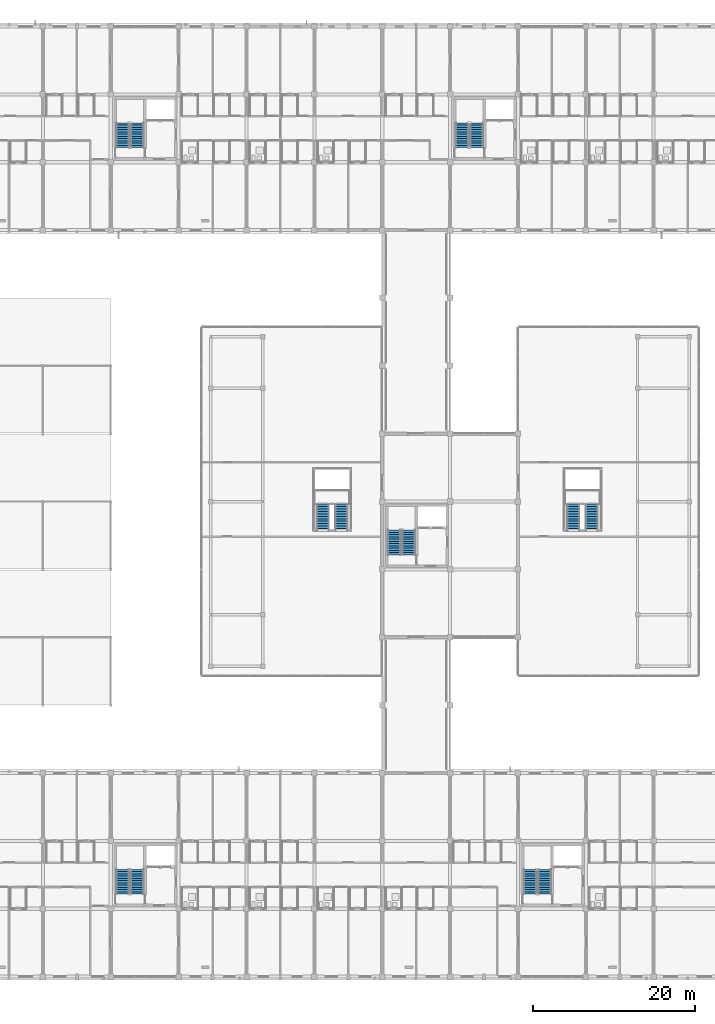
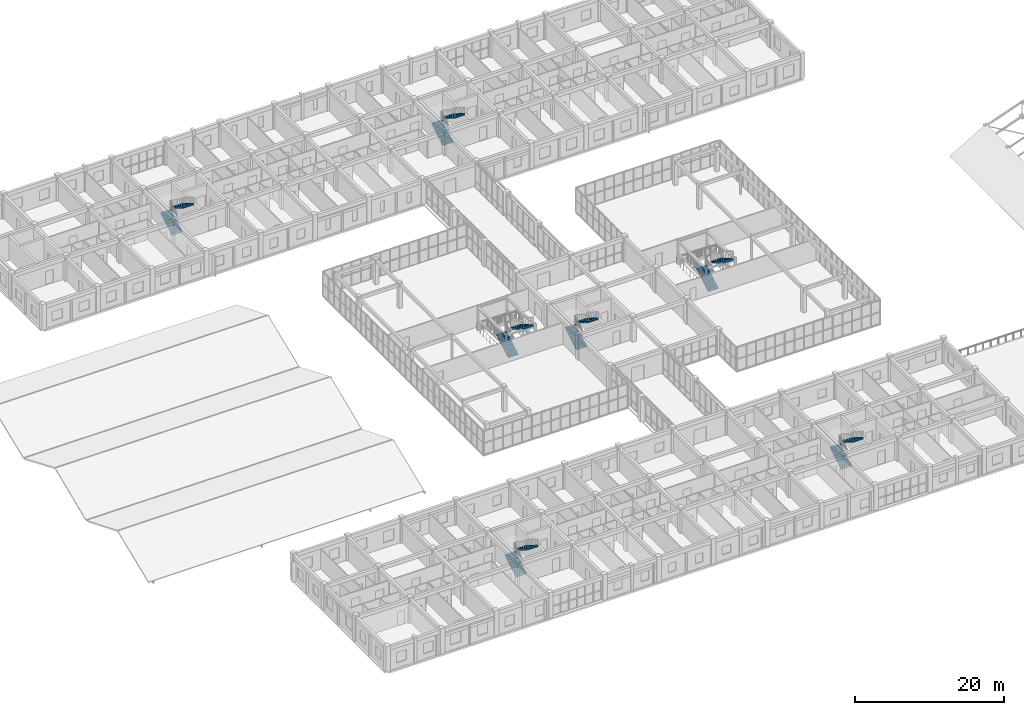
# One storey, part 126 of 140: 14 stair flights, 7 elements without a shape of their own.
"""IFC4 building model written with IfcOpenShell, lengths in metres."""

from ifc_helpers import new_model, si_unit, direction, frame, origin, place, context, subcontext, project, spatial, polyline, outline, extrude, material, type_object, element, aggregate, save


model = new_model("IFC4")

# Units and contexts
model_context = context("Model", 3, precision=1e-05, world=origin(), true_north=direction((0.0, 1.0)))
body_context = subcontext(model_context, "Body", "Model", "MODEL_VIEW")
ifc_project = project(units=[si_unit("LENGTHUNIT", "METRE"), si_unit("AREAUNIT", "SQUARE_METRE"), si_unit("VOLUMEUNIT", "CUBIC_METRE"), si_unit("PLANEANGLEUNIT", "RADIAN"), si_unit("MASSUNIT", "GRAM", prefix="KILO")], contexts=[model_context])

# Site, building, storey
site_placement = place(None, origin())
site = spatial("IfcSite", under=ifc_project, at=site_placement, CompositionType="ELEMENT")
building_placement = place(site_placement, origin())
building = spatial("IfcBuilding", under=site, at=building_placement, Name="Trelvath General Hospital", CompositionType="ELEMENT")
storey_placement = place(building_placement, frame((0.0, 0.0, 16.199951171875)))
storey = spatial("IfcBuildingStorey", under=building, at=storey_placement, Name="L04", CompositionType="ELEMENT", Elevation=16.199951171875)

# Stair, stair flights
ifc_material_1 = material(Name="Concrete C35/45", Category="concrete")
stair_type_1 = type_object("IfcStairType", Name="Stair PublicCube420", PredefinedType="TWO_STRAIGHT_RUN_STAIR", material=ifc_material_1)
stair_1_placement = place(storey_placement, origin())
stair_1 = element("IfcStair", 1, at=stair_1_placement, inside=storey, type_object=stair_type_1, Name="Public Cube Feature Stair ST9 L04", PredefinedType="TWO_STRAIGHT_RUN_STAIR")
ifc_material_2 = material(Name="Concrete C35/45", Category="concrete")
stair_flight_type_1 = type_object("IfcStairFlightType", Name="Flight PublicCube420", PredefinedType="STRAIGHT", material=ifc_material_2)
stair_flight_1_placement = place(storey_placement, frame((68.25, 55.169921875, 0.0), z_axis=(0.0, 0.0, 1.0), x_axis=(0.0, 1.0, 0.0)))
stair_flight_1 = element("IfcStairFlight", 2, at=stair_flight_1_placement, type_object=stair_flight_type_1, Name="ST9-L04 flight 1", NumberOfRisers=12, NumberOfTreads=11, PredefinedType="STRAIGHT", RiserHeight=0.175, TreadLength=0.3, context=body_context, shape_type="SweptSolid", body=[
    extrude(outline(polyline([(0.0, 0.0), (0.0, 0.175048828125), (0.300048828125, 0.175048828125), (0.300048828125, 0.35009765625), (0.60009765625, 0.35009765625), (0.60009765625, 0.52490234375), (0.89990234375, 0.52490234375), (0.89990234375, 0.699951171875), (1.199951171875, 0.699951171875), (1.199951171875, 0.875), (1.5, 0.875), (1.5, 1.050048828125), (1.800048828125, 1.050048828125), (1.800048828125, 1.22509765625), (2.10009765625, 1.22509765625), (2.10009765625, 1.39990234375), (2.39990234375, 1.39990234375), (2.39990234375, 1.574951171875), (2.699951171875, 1.574951171875), (2.699951171875, 1.75), (3.0, 1.75), (3.0, 1.925048828125), (3.300048828125, 1.925048828125), (3.300048828125, 2.10009765625), (3.300048828125, 1.739990234375), (0.3173828125, 0.0), (0.0, 0.0)])), frame((0.0, 0.77001953125, 0.0), z_axis=(0.0, -1.0, 0.0), x_axis=(1.0, 0.0, 0.0)), (0.0, 0.0, 1.0), 1.5400390625),
])
stair_flight_2_placement = place(storey_placement, frame((70.550048828125, 58.469970703125, 2.10009765625), z_axis=(0.0, 0.0, 1.0), x_axis=(0.0, -1.0, 0.0)))
stair_flight_2 = element("IfcStairFlight", 3, at=stair_flight_2_placement, type_object=stair_flight_type_1, Name="ST9-L04 flight 2", NumberOfRisers=12, NumberOfTreads=11, PredefinedType="STRAIGHT", RiserHeight=0.175, TreadLength=0.3, context=body_context, shape_type="SweptSolid", body=[
    extrude(outline(polyline([(0.0, 0.0), (0.0, 0.175048828125), (0.300048828125, 0.175048828125), (0.300048828125, 0.35009765625), (0.60009765625, 0.35009765625), (0.60009765625, 0.52490234375), (0.89990234375, 0.52490234375), (0.89990234375, 0.699951171875), (1.199951171875, 0.699951171875), (1.199951171875, 0.875), (1.5, 0.875), (1.5, 1.050048828125), (1.800048828125, 1.050048828125), (1.800048828125, 1.22509765625), (2.10009765625, 1.22509765625), (2.10009765625, 1.39990234375), (2.39990234375, 1.39990234375), (2.39990234375, 1.574951171875), (2.699951171875, 1.574951171875), (2.699951171875, 1.75), (3.0, 1.75), (3.0, 1.925048828125), (3.300048828125, 1.925048828125), (3.300048828125, 2.10009765625), (3.300048828125, 1.739990234375), (0.3173828125, 0.0), (0.0, 0.0)])), frame((0.0, 0.77001953125, 0.0), z_axis=(0.0, -1.0, 0.0), x_axis=(1.0, 0.0, 0.0)), (0.0, 0.0, 1.0), 1.5400390625),
])
aggregate(stair_1, [stair_flight_1, stair_flight_2])

stair_2_placement = place(storey_placement, origin())
stair_2 = element("IfcStair", 4, at=stair_2_placement, inside=storey, type_object=stair_type_1, Name="Public Cube Feature Stair ST10 L04", PredefinedType="TWO_STRAIGHT_RUN_STAIR")
stair_flight_3_placement = place(storey_placement, frame((99.25, 55.169921875, 0.0), z_axis=(0.0, 0.0, 1.0), x_axis=(0.0, 1.0, 0.0)))
stair_flight_3 = element("IfcStairFlight", 5, at=stair_flight_3_placement, type_object=stair_flight_type_1, Name="ST10-L04 flight 1", NumberOfRisers=12, NumberOfTreads=11, PredefinedType="STRAIGHT", RiserHeight=0.175, TreadLength=0.3, context=body_context, shape_type="SweptSolid", body=[
    extrude(outline(polyline([(0.0, 0.0), (0.0, 0.175048828125), (0.300048828125, 0.175048828125), (0.300048828125, 0.35009765625), (0.60009765625, 0.35009765625), (0.60009765625, 0.52490234375), (0.89990234375, 0.52490234375), (0.89990234375, 0.699951171875), (1.199951171875, 0.699951171875), (1.199951171875, 0.875), (1.5, 0.875), (1.5, 1.050048828125), (1.800048828125, 1.050048828125), (1.800048828125, 1.22509765625), (2.10009765625, 1.22509765625), (2.10009765625, 1.39990234375), (2.39990234375, 1.39990234375), (2.39990234375, 1.574951171875), (2.699951171875, 1.574951171875), (2.699951171875, 1.75), (3.0, 1.75), (3.0, 1.925048828125), (3.300048828125, 1.925048828125), (3.300048828125, 2.10009765625), (3.300048828125, 1.739990234375), (0.3173828125, 0.0), (0.0, 0.0)])), frame((0.0, 0.77001953125, 0.0), z_axis=(0.0, -1.0, 0.0), x_axis=(1.0, 0.0, 0.0)), (0.0, 0.0, 1.0), 1.5400390625),
])
stair_flight_4_placement = place(storey_placement, frame((101.550048828125, 58.469970703125, 2.10009765625), z_axis=(0.0, 0.0, 1.0), x_axis=(0.0, -1.0, 0.0)))
stair_flight_4 = element("IfcStairFlight", 6, at=stair_flight_4_placement, type_object=stair_flight_type_1, Name="ST10-L04 flight 2", NumberOfRisers=12, NumberOfTreads=11, PredefinedType="STRAIGHT", RiserHeight=0.175, TreadLength=0.3, context=body_context, shape_type="SweptSolid", body=[
    extrude(outline(polyline([(0.0, 0.0), (0.0, 0.175048828125), (0.300048828125, 0.175048828125), (0.300048828125, 0.35009765625), (0.60009765625, 0.35009765625), (0.60009765625, 0.52490234375), (0.89990234375, 0.52490234375), (0.89990234375, 0.699951171875), (1.199951171875, 0.699951171875), (1.199951171875, 0.875), (1.5, 0.875), (1.5, 1.050048828125), (1.800048828125, 1.050048828125), (1.800048828125, 1.22509765625), (2.10009765625, 1.22509765625), (2.10009765625, 1.39990234375), (2.39990234375, 1.39990234375), (2.39990234375, 1.574951171875), (2.699951171875, 1.574951171875), (2.699951171875, 1.75), (3.0, 1.75), (3.0, 1.925048828125), (3.300048828125, 1.925048828125), (3.300048828125, 2.10009765625), (3.300048828125, 1.739990234375), (0.3173828125, 0.0), (0.0, 0.0)])), frame((0.0, 0.77001953125, 0.0), z_axis=(0.0, -1.0, 0.0), x_axis=(1.0, 0.0, 0.0)), (0.0, 0.0, 1.0), 1.5400390625),
])
aggregate(stair_2, [stair_flight_3, stair_flight_4])

ifc_material_3 = material(Name="Concrete C35/45", Category="concrete")
stair_type_2 = type_object("IfcStairType", Name="Stair Stretcher420", PredefinedType="TWO_STRAIGHT_RUN_STAIR", material=ifc_material_3)
stair_3_placement = place(storey_placement, origin())
stair_3 = element("IfcStair", 7, at=stair_3_placement, inside=storey, type_object=stair_type_2, Name="Exit Stair ST1 L04", PredefinedType="TWO_STRAIGHT_RUN_STAIR")
ifc_material_4 = material(Name="Concrete C35/45", Category="concrete")
stair_flight_type_2 = type_object("IfcStairFlightType", Name="Flight Stretcher420", PredefinedType="STRAIGHT", material=ifc_material_4)
stair_flight_5_placement = place(storey_placement, frame((43.5, 102.60009765625, 0.0), z_axis=(0.0, 0.0, 1.0), x_axis=(0.0, 1.0, 0.0)))
stair_flight_5 = element("IfcStairFlight", 8, at=stair_flight_5_placement, type_object=stair_flight_type_2, Name="ST1-L04 flight 1", NumberOfRisers=12, NumberOfTreads=11, PredefinedType="STRAIGHT", RiserHeight=0.175, TreadLength=0.28, context=body_context, shape_type="SweptSolid", body=[
    extrude(outline(polyline([(0.0, 0.0), (0.0, 0.175048828125), (0.280029296875, 0.175048828125), (0.280029296875, 0.35009765625), (0.56005859375, 0.35009765625), (0.56005859375, 0.52490234375), (0.840087890625, 0.52490234375), (0.840087890625, 0.699951171875), (1.1201171875, 0.699951171875), (1.1201171875, 0.875), (1.39990234375, 0.875), (1.39990234375, 1.050048828125), (1.679931640625, 1.050048828125), (1.679931640625, 1.22509765625), (1.9599609375, 1.22509765625), (1.9599609375, 1.39990234375), (2.239990234375, 1.39990234375), (2.239990234375, 1.574951171875), (2.52001953125, 1.574951171875), (2.52001953125, 1.75), (2.800048828125, 1.75), (2.800048828125, 1.925048828125), (3.080078125, 1.925048828125), (3.080078125, 2.10009765625), (3.080078125, 1.736328125), (0.3017578125, 0.0), (0.0, 0.0)])), frame((0.0, 0.81005859375, 0.0), z_axis=(0.0, -1.0, 0.0), x_axis=(1.0, 0.0, 0.0)), (0.0, 0.0, 1.0), 1.6201171875),
])
stair_flight_6_placement = place(storey_placement, frame((45.300048828125, 105.679931640625, 2.10009765625), z_axis=(0.0, 0.0, 1.0), x_axis=(0.0, -1.0, 0.0)))
stair_flight_6 = element("IfcStairFlight", 9, at=stair_flight_6_placement, type_object=stair_flight_type_2, Name="ST1-L04 flight 2", NumberOfRisers=12, NumberOfTreads=11, PredefinedType="STRAIGHT", RiserHeight=0.175, TreadLength=0.28, context=body_context, shape_type="SweptSolid", body=[
    extrude(outline(polyline([(0.0, 0.0), (0.0, 0.175048828125), (0.280029296875, 0.175048828125), (0.280029296875, 0.35009765625), (0.56005859375, 0.35009765625), (0.56005859375, 0.52490234375), (0.840087890625, 0.52490234375), (0.840087890625, 0.699951171875), (1.1201171875, 0.699951171875), (1.1201171875, 0.875), (1.39990234375, 0.875), (1.39990234375, 1.050048828125), (1.679931640625, 1.050048828125), (1.679931640625, 1.22509765625), (1.9599609375, 1.22509765625), (1.9599609375, 1.39990234375), (2.239990234375, 1.39990234375), (2.239990234375, 1.574951171875), (2.52001953125, 1.574951171875), (2.52001953125, 1.75), (2.800048828125, 1.75), (2.800048828125, 1.925048828125), (3.080078125, 1.925048828125), (3.080078125, 2.10009765625), (3.080078125, 1.736328125), (0.3017578125, 0.0), (0.0, 0.0)])), frame((0.0, 0.81005859375, 0.0), z_axis=(0.0, -1.0, 0.0), x_axis=(1.0, 0.0, 0.0)), (0.0, 0.0, 1.0), 1.6201171875),
])
aggregate(stair_3, [stair_flight_5, stair_flight_6])

stair_4_placement = place(storey_placement, origin())
stair_4 = element("IfcStair", 10, at=stair_4_placement, inside=storey, type_object=stair_type_2, Name="Exit Stair ST2 L04", PredefinedType="TWO_STRAIGHT_RUN_STAIR")
stair_flight_7_placement = place(storey_placement, frame((85.5, 102.60009765625, 0.0), z_axis=(0.0, 0.0, 1.0), x_axis=(0.0, 1.0, 0.0)))
stair_flight_7 = element("IfcStairFlight", 11, at=stair_flight_7_placement, type_object=stair_flight_type_2, Name="ST2-L04 flight 1", NumberOfRisers=12, NumberOfTreads=11, PredefinedType="STRAIGHT", RiserHeight=0.175, TreadLength=0.28, context=body_context, shape_type="SweptSolid", body=[
    extrude(outline(polyline([(0.0, 0.0), (0.0, 0.175048828125), (0.280029296875, 0.175048828125), (0.280029296875, 0.35009765625), (0.56005859375, 0.35009765625), (0.56005859375, 0.52490234375), (0.840087890625, 0.52490234375), (0.840087890625, 0.699951171875), (1.1201171875, 0.699951171875), (1.1201171875, 0.875), (1.39990234375, 0.875), (1.39990234375, 1.050048828125), (1.679931640625, 1.050048828125), (1.679931640625, 1.22509765625), (1.9599609375, 1.22509765625), (1.9599609375, 1.39990234375), (2.239990234375, 1.39990234375), (2.239990234375, 1.574951171875), (2.52001953125, 1.574951171875), (2.52001953125, 1.75), (2.800048828125, 1.75), (2.800048828125, 1.925048828125), (3.080078125, 1.925048828125), (3.080078125, 2.10009765625), (3.080078125, 1.736328125), (0.3017578125, 0.0), (0.0, 0.0)])), frame((0.0, 0.81005859375, 0.0), z_axis=(0.0, -1.0, 0.0), x_axis=(1.0, 0.0, 0.0)), (0.0, 0.0, 1.0), 1.6201171875),
])
stair_flight_8_placement = place(storey_placement, frame((87.300048828125, 105.679931640625, 2.10009765625), z_axis=(0.0, 0.0, 1.0), x_axis=(0.0, -1.0, 0.0)))
stair_flight_8 = element("IfcStairFlight", 12, at=stair_flight_8_placement, type_object=stair_flight_type_2, Name="ST2-L04 flight 2", NumberOfRisers=12, NumberOfTreads=11, PredefinedType="STRAIGHT", RiserHeight=0.175, TreadLength=0.28, context=body_context, shape_type="SweptSolid", body=[
    extrude(outline(polyline([(0.0, 0.0), (0.0, 0.175048828125), (0.280029296875, 0.175048828125), (0.280029296875, 0.35009765625), (0.56005859375, 0.35009765625), (0.56005859375, 0.52490234375), (0.840087890625, 0.52490234375), (0.840087890625, 0.699951171875), (1.1201171875, 0.699951171875), (1.1201171875, 0.875), (1.39990234375, 0.875), (1.39990234375, 1.050048828125), (1.679931640625, 1.050048828125), (1.679931640625, 1.22509765625), (1.9599609375, 1.22509765625), (1.9599609375, 1.39990234375), (2.239990234375, 1.39990234375), (2.239990234375, 1.574951171875), (2.52001953125, 1.574951171875), (2.52001953125, 1.75), (2.800048828125, 1.75), (2.800048828125, 1.925048828125), (3.080078125, 1.925048828125), (3.080078125, 2.10009765625), (3.080078125, 1.736328125), (0.3017578125, 0.0), (0.0, 0.0)])), frame((0.0, 0.81005859375, 0.0), z_axis=(0.0, -1.0, 0.0), x_axis=(1.0, 0.0, 0.0)), (0.0, 0.0, 1.0), 1.6201171875),
])
aggregate(stair_4, [stair_flight_7, stair_flight_8])

stair_5_placement = place(storey_placement, origin())
stair_5 = element("IfcStair", 13, at=stair_5_placement, inside=storey, type_object=stair_type_2, Name="Exit Stair ST4 L04", PredefinedType="TWO_STRAIGHT_RUN_STAIR")
stair_flight_9_placement = place(storey_placement, frame((43.5, 10.199951171875, 0.0), z_axis=(0.0, 0.0, 1.0), x_axis=(0.0, 1.0, 0.0)))
stair_flight_9 = element("IfcStairFlight", 14, at=stair_flight_9_placement, type_object=stair_flight_type_2, Name="ST4-L04 flight 1", NumberOfRisers=12, NumberOfTreads=11, PredefinedType="STRAIGHT", RiserHeight=0.175, TreadLength=0.28, context=body_context, shape_type="SweptSolid", body=[
    extrude(outline(polyline([(0.0, 0.0), (0.0, 0.175048828125), (0.280029296875, 0.175048828125), (0.280029296875, 0.35009765625), (0.56005859375, 0.35009765625), (0.56005859375, 0.52490234375), (0.840087890625, 0.52490234375), (0.840087890625, 0.699951171875), (1.1201171875, 0.699951171875), (1.1201171875, 0.875), (1.39990234375, 0.875), (1.39990234375, 1.050048828125), (1.679931640625, 1.050048828125), (1.679931640625, 1.22509765625), (1.9599609375, 1.22509765625), (1.9599609375, 1.39990234375), (2.239990234375, 1.39990234375), (2.239990234375, 1.574951171875), (2.52001953125, 1.574951171875), (2.52001953125, 1.75), (2.800048828125, 1.75), (2.800048828125, 1.925048828125), (3.080078125, 1.925048828125), (3.080078125, 2.10009765625), (3.080078125, 1.736328125), (0.3017578125, 0.0), (0.0, 0.0)])), frame((0.0, 0.81005859375, 0.0), z_axis=(0.0, -1.0, 0.0), x_axis=(1.0, 0.0, 0.0)), (0.0, 0.0, 1.0), 1.6201171875),
])
stair_flight_10_placement = place(storey_placement, frame((45.300048828125, 13.280029296875, 2.10009765625), z_axis=(0.0, 0.0, 1.0), x_axis=(0.0, -1.0, 0.0)))
stair_flight_10 = element("IfcStairFlight", 15, at=stair_flight_10_placement, type_object=stair_flight_type_2, Name="ST4-L04 flight 2", NumberOfRisers=12, NumberOfTreads=11, PredefinedType="STRAIGHT", RiserHeight=0.175, TreadLength=0.28, context=body_context, shape_type="SweptSolid", body=[
    extrude(outline(polyline([(0.0, 0.0), (0.0, 0.175048828125), (0.280029296875, 0.175048828125), (0.280029296875, 0.35009765625), (0.56005859375, 0.35009765625), (0.56005859375, 0.52490234375), (0.840087890625, 0.52490234375), (0.840087890625, 0.699951171875), (1.1201171875, 0.699951171875), (1.1201171875, 0.875), (1.39990234375, 0.875), (1.39990234375, 1.050048828125), (1.679931640625, 1.050048828125), (1.679931640625, 1.22509765625), (1.9599609375, 1.22509765625), (1.9599609375, 1.39990234375), (2.239990234375, 1.39990234375), (2.239990234375, 1.574951171875), (2.52001953125, 1.574951171875), (2.52001953125, 1.75), (2.800048828125, 1.75), (2.800048828125, 1.925048828125), (3.080078125, 1.925048828125), (3.080078125, 2.10009765625), (3.080078125, 1.736328125), (0.3017578125, 0.0), (0.0, 0.0)])), frame((0.0, 0.81005859375, 0.0), z_axis=(0.0, -1.0, 0.0), x_axis=(1.0, 0.0, 0.0)), (0.0, 0.0, 1.0), 1.6201171875),
])
aggregate(stair_5, [stair_flight_9, stair_flight_10])

stair_6_placement = place(storey_placement, origin())
stair_6 = element("IfcStair", 16, at=stair_6_placement, inside=storey, type_object=stair_type_2, Name="Exit Stair ST5 L04", PredefinedType="TWO_STRAIGHT_RUN_STAIR")
stair_flight_11_placement = place(storey_placement, frame((93.89990234375, 10.199951171875, 0.0), z_axis=(0.0, 0.0, 1.0), x_axis=(0.0, 1.0, 0.0)))
stair_flight_11 = element("IfcStairFlight", 17, at=stair_flight_11_placement, type_object=stair_flight_type_2, Name="ST5-L04 flight 1", NumberOfRisers=12, NumberOfTreads=11, PredefinedType="STRAIGHT", RiserHeight=0.175, TreadLength=0.28, context=body_context, shape_type="SweptSolid", body=[
    extrude(outline(polyline([(0.0, 0.0), (0.0, 0.175048828125), (0.280029296875, 0.175048828125), (0.280029296875, 0.35009765625), (0.56005859375, 0.35009765625), (0.56005859375, 0.52490234375), (0.840087890625, 0.52490234375), (0.840087890625, 0.699951171875), (1.1201171875, 0.699951171875), (1.1201171875, 0.875), (1.39990234375, 0.875), (1.39990234375, 1.050048828125), (1.679931640625, 1.050048828125), (1.679931640625, 1.22509765625), (1.9599609375, 1.22509765625), (1.9599609375, 1.39990234375), (2.239990234375, 1.39990234375), (2.239990234375, 1.574951171875), (2.52001953125, 1.574951171875), (2.52001953125, 1.75), (2.800048828125, 1.75), (2.800048828125, 1.925048828125), (3.080078125, 1.925048828125), (3.080078125, 2.10009765625), (3.080078125, 1.736328125), (0.3017578125, 0.0), (0.0, 0.0)])), frame((0.0, 0.81005859375, 0.0), z_axis=(0.0, -1.0, 0.0), x_axis=(1.0, 0.0, 0.0)), (0.0, 0.0, 1.0), 1.6201171875),
])
stair_flight_12_placement = place(storey_placement, frame((95.699951171875, 13.280029296875, 2.10009765625), z_axis=(0.0, 0.0, 1.0), x_axis=(0.0, -1.0, 0.0)))
stair_flight_12 = element("IfcStairFlight", 18, at=stair_flight_12_placement, type_object=stair_flight_type_2, Name="ST5-L04 flight 2", NumberOfRisers=12, NumberOfTreads=11, PredefinedType="STRAIGHT", RiserHeight=0.175, TreadLength=0.28, context=body_context, shape_type="SweptSolid", body=[
    extrude(outline(polyline([(0.0, 0.0), (0.0, 0.175048828125), (0.280029296875, 0.175048828125), (0.280029296875, 0.35009765625), (0.56005859375, 0.35009765625), (0.56005859375, 0.52490234375), (0.840087890625, 0.52490234375), (0.840087890625, 0.699951171875), (1.1201171875, 0.699951171875), (1.1201171875, 0.875), (1.39990234375, 0.875), (1.39990234375, 1.050048828125), (1.679931640625, 1.050048828125), (1.679931640625, 1.22509765625), (1.9599609375, 1.22509765625), (1.9599609375, 1.39990234375), (2.239990234375, 1.39990234375), (2.239990234375, 1.574951171875), (2.52001953125, 1.574951171875), (2.52001953125, 1.75), (2.800048828125, 1.75), (2.800048828125, 1.925048828125), (3.080078125, 1.925048828125), (3.080078125, 2.10009765625), (3.080078125, 1.736328125), (0.3017578125, 0.0), (0.0, 0.0)])), frame((0.0, 0.81005859375, 0.0), z_axis=(0.0, -1.0, 0.0), x_axis=(1.0, 0.0, 0.0)), (0.0, 0.0, 1.0), 1.6201171875),
])
aggregate(stair_6, [stair_flight_11, stair_flight_12])

stair_7_placement = place(storey_placement, origin())
stair_7 = element("IfcStair", 19, at=stair_7_placement, inside=storey, type_object=stair_type_2, Name="Exit Stair ST6 L04", PredefinedType="TWO_STRAIGHT_RUN_STAIR")
stair_flight_13_placement = place(storey_placement, frame((77.10009765625, 52.199951171875, 0.0), z_axis=(0.0, 0.0, 1.0), x_axis=(0.0, 1.0, 0.0)))
stair_flight_13 = element("IfcStairFlight", 20, at=stair_flight_13_placement, type_object=stair_flight_type_2, Name="ST6-L04 flight 1", NumberOfRisers=12, NumberOfTreads=11, PredefinedType="STRAIGHT", RiserHeight=0.175, TreadLength=0.28, context=body_context, shape_type="SweptSolid", body=[
    extrude(outline(polyline([(0.0, 0.0), (0.0, 0.175048828125), (0.280029296875, 0.175048828125), (0.280029296875, 0.35009765625), (0.56005859375, 0.35009765625), (0.56005859375, 0.52490234375), (0.840087890625, 0.52490234375), (0.840087890625, 0.699951171875), (1.1201171875, 0.699951171875), (1.1201171875, 0.875), (1.39990234375, 0.875), (1.39990234375, 1.050048828125), (1.679931640625, 1.050048828125), (1.679931640625, 1.22509765625), (1.9599609375, 1.22509765625), (1.9599609375, 1.39990234375), (2.239990234375, 1.39990234375), (2.239990234375, 1.574951171875), (2.52001953125, 1.574951171875), (2.52001953125, 1.75), (2.800048828125, 1.75), (2.800048828125, 1.925048828125), (3.080078125, 1.925048828125), (3.080078125, 2.10009765625), (3.080078125, 1.736328125), (0.3017578125, 0.0), (0.0, 0.0)])), frame((0.0, 0.81005859375, 0.0), z_axis=(0.0, -1.0, 0.0), x_axis=(1.0, 0.0, 0.0)), (0.0, 0.0, 1.0), 1.6201171875),
])
stair_flight_14_placement = place(storey_placement, frame((78.89990234375, 55.280029296875, 2.10009765625), z_axis=(0.0, 0.0, 1.0), x_axis=(0.0, -1.0, 0.0)))
stair_flight_14 = element("IfcStairFlight", 21, at=stair_flight_14_placement, type_object=stair_flight_type_2, Name="ST6-L04 flight 2", NumberOfRisers=12, NumberOfTreads=11, PredefinedType="STRAIGHT", RiserHeight=0.175, TreadLength=0.28, context=body_context, shape_type="SweptSolid", body=[
    extrude(outline(polyline([(0.0, 0.0), (0.0, 0.175048828125), (0.280029296875, 0.175048828125), (0.280029296875, 0.35009765625), (0.56005859375, 0.35009765625), (0.56005859375, 0.52490234375), (0.840087890625, 0.52490234375), (0.840087890625, 0.699951171875), (1.1201171875, 0.699951171875), (1.1201171875, 0.875), (1.39990234375, 0.875), (1.39990234375, 1.050048828125), (1.679931640625, 1.050048828125), (1.679931640625, 1.22509765625), (1.9599609375, 1.22509765625), (1.9599609375, 1.39990234375), (2.239990234375, 1.39990234375), (2.239990234375, 1.574951171875), (2.52001953125, 1.574951171875), (2.52001953125, 1.75), (2.800048828125, 1.75), (2.800048828125, 1.925048828125), (3.080078125, 1.925048828125), (3.080078125, 2.10009765625), (3.080078125, 1.736328125), (0.3017578125, 0.0), (0.0, 0.0)])), frame((0.0, 0.81005859375, 0.0), z_axis=(0.0, -1.0, 0.0), x_axis=(1.0, 0.0, 0.0)), (0.0, 0.0, 1.0), 1.6201171875),
])
aggregate(stair_7, [stair_flight_13, stair_flight_14])

save(model, "model.ifc")
